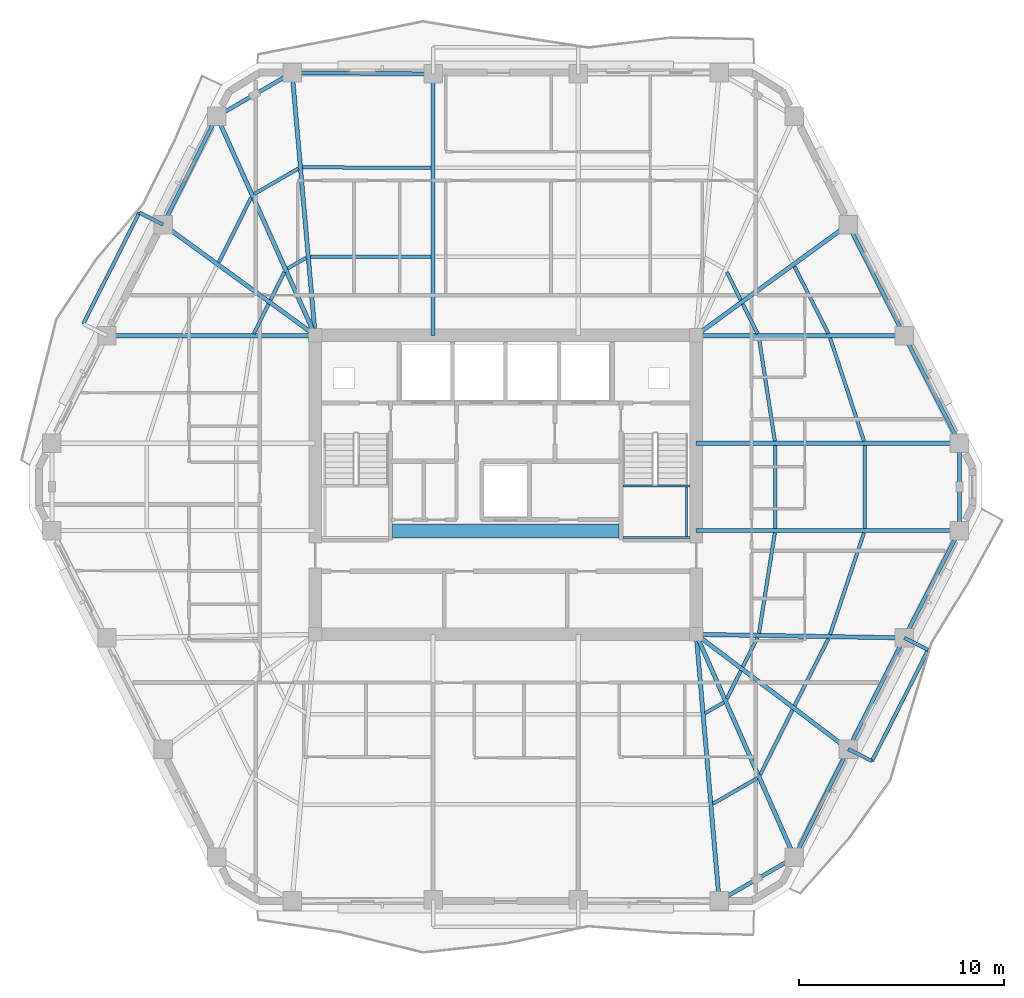
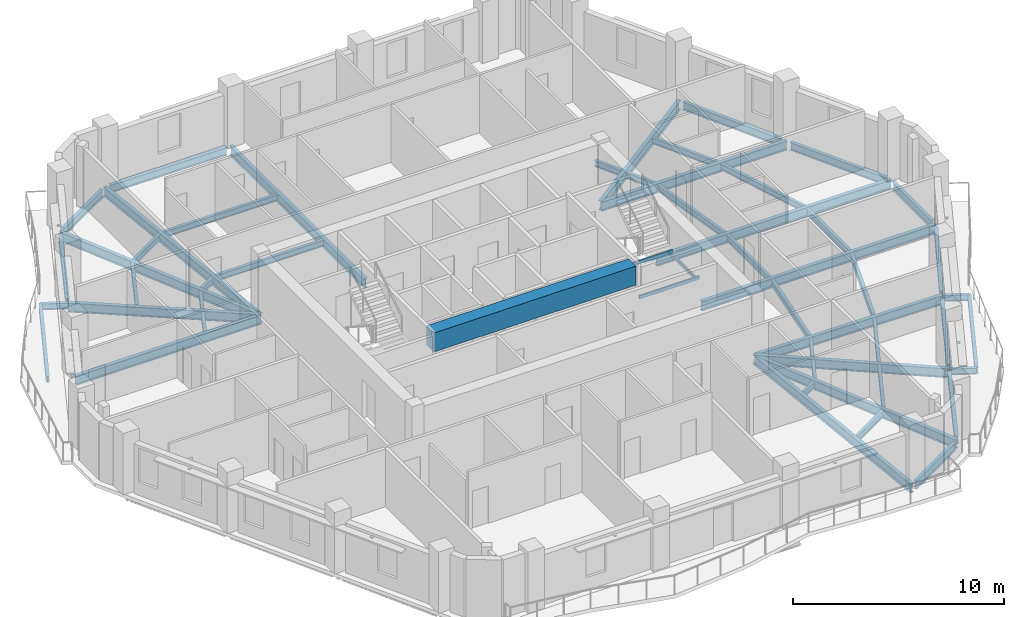
# One storey, part 2 of 12: 54 beams.
"""IFC4 building model written with IfcOpenShell, lengths in metres."""

from ifc_helpers import new_model, si_unit, direction, frame, origin, origin_2d, place, context, subcontext, project, spatial, rectangle, hollow_rectangle, i_section, extrude, material, material_profile, profile_set, type_object, element, save


model = new_model("IFC4")

# Units and contexts
model_context = context("Model", 3, precision=1e-05, world=origin(), true_north=direction((0.0, 1.0)))
body_context = subcontext(model_context, "Body", "Model", "MODEL_VIEW")
ifc_project = project(units=[si_unit("LENGTHUNIT", "METRE"), si_unit("AREAUNIT", "SQUARE_METRE"), si_unit("VOLUMEUNIT", "CUBIC_METRE"), si_unit("PLANEANGLEUNIT", "RADIAN"), si_unit("MASSUNIT", "GRAM", prefix="KILO")], contexts=[model_context])

# Site, building, storey
site_placement = place(None, origin())
site = spatial("IfcSite", under=ifc_project, at=site_placement, CompositionType="ELEMENT")
building_placement = place(site_placement, origin())
building = spatial("IfcBuilding", under=site, at=building_placement, Name="Cinnabar Lancet Tower", CompositionType="ELEMENT")
storey_placement = place(building_placement, frame((0.0, 0.0, 186.10009765625)))
storey = spatial("IfcBuildingStorey", under=building, at=storey_placement, Name="L49", CompositionType="ELEMENT", Elevation=186.10009765625)

# Beams
ifc_material_1 = material(Name="Concrete C70/85", Category="concrete")
ifc_material_profile_1 = material_profile(ifc_material_1, rectangle(XDim=0.699951171875, YDim=1.10009765625, at=origin_2d()), Name="RC-CB 700x1100")
ifc_profile_set_1 = profile_set([ifc_material_profile_1], Name="Concrete C70/85")
beam_type_1 = type_object("IfcBeamType", Name="STR-BM-CB-1100", PredefinedType="BEAM", material=ifc_profile_set_1)
beam_1_placement = place(storey_placement, frame((26.8798828125, 23.64990234375, 2.7998046875), z_axis=(1.0, 0.0, 0.0), x_axis=(0.0, 1.0, 0.0)))
element("IfcBeam", 1, at=beam_1_placement, inside=storey, type_object=beam_type_1, Name="L49 Core Coupling Beam", PredefinedType="BEAM", context=body_context, shape_type="SweptSolid", body=[
    extrude(rectangle(XDim=0.699951171875, YDim=1.10009765625, at=origin_2d()), origin(), (0.0, 0.0, 1.0), 11.0400390625),
])
ifc_material_2 = material(Name="Structural steel S355", Category="steel")
ifc_material_profile_2 = material_profile(ifc_material_2, i_section(OverallWidth=0.17138671875, OverallDepth=0.35498046875, WebThickness=0.00732421875, FlangeThickness=0.011474609375, FilletRadius=0.01025390625, at=origin_2d()), Name="UKB 356x171x51")
ifc_profile_set_2 = profile_set([ifc_material_profile_2], Name="Structural steel S355")
beam_type_2 = type_object("IfcBeamType", Name="STR-BM-JST-356", PredefinedType="JOIST", material=ifc_profile_set_2)
beam_2_placement = place(storey_placement, frame((42.51708984375, 10.3310546875, -0.378173828125), z_axis=(0.865267839663, 0.501309849937, 0.0), x_axis=(-0.501309849937, 0.865267839663, 0.0)))
element("IfcBeam", 2, at=beam_2_placement, inside=storey, type_object=beam_type_2, Name="L49 Secondary Floor Joist 15", PredefinedType="JOIST", context=body_context, shape_type="SweptSolid", body=[
    extrude(i_section(OverallWidth=0.17138671875, OverallDepth=0.35498046875, WebThickness=0.00732421875, FlangeThickness=0.011474609375, FilletRadius=0.01025390625, at=origin_2d()), origin(), (0.0, 0.0, 1.0), 2.497314453125),
])
beam_3_placement = place(storey_placement, frame((42.135986328125, 14.7548828125, -0.378173828125), z_axis=(0.8651881055, 0.501447446998, 0.0), x_axis=(-0.501447446998, 0.8651881055, 0.0)))
element("IfcBeam", 3, at=beam_3_placement, inside=storey, type_object=beam_type_2, Name="L49 Secondary Floor Joist 16", PredefinedType="JOIST", context=body_context, shape_type="SweptSolid", body=[
    extrude(i_section(OverallWidth=0.17138671875, OverallDepth=0.35498046875, WebThickness=0.00732421875, FlangeThickness=0.011474609375, FilletRadius=0.01025390625, at=origin_2d()), origin(), (0.0, 0.0, 1.0), 1.05322265625),
])
beam_4_placement = place(storey_placement, frame((44.8291015625, 11.758056640625, -0.378173828125), z_axis=(0.445027906173, 0.895516701534, 0.0), x_axis=(-0.895516701534, 0.445027906173, 0.0)))
element("IfcBeam", 4, at=beam_4_placement, inside=storey, type_object=beam_type_2, Name="L49 Secondary Floor Joist 17", PredefinedType="JOIST", context=body_context, shape_type="SweptSolid", body=[
    extrude(i_section(OverallWidth=0.17138671875, OverallDepth=0.35498046875, WebThickness=0.00732421875, FlangeThickness=0.011474609375, FilletRadius=0.01025390625, at=origin_2d()), origin(), (0.0, 0.0, 1.0), 3.531982421875),
])
beam_5_placement = place(storey_placement, frame((43.198974609375, 15.45703125, -0.378173828125), z_axis=(0.444589856968, 0.895734256954, 0.0), x_axis=(-0.895734256954, 0.444589856968, 0.0)))
element("IfcBeam", 5, at=beam_5_placement, inside=storey, type_object=beam_type_2, Name="L49 Secondary Floor Joist 18", PredefinedType="JOIST", context=body_context, shape_type="SweptSolid", body=[
    extrude(i_section(OverallWidth=0.17138671875, OverallDepth=0.35498046875, WebThickness=0.00732421875, FlangeThickness=0.011474609375, FilletRadius=0.01025390625, at=origin_2d()), origin(), (0.0, 0.0, 1.0), 1.527099609375),
])
beam_6_placement = place(storey_placement, frame((46.49609375, 15.112060546875, -0.378173828125), z_axis=(0.450564728728, 0.892743762357, 0.0), x_axis=(-0.892743762357, 0.450564728728, 0.0)))
element("IfcBeam", 6, at=beam_6_placement, inside=storey, type_object=beam_type_2, Name="L49 Secondary Floor Joist 19", PredefinedType="JOIST", context=body_context, shape_type="SweptSolid", body=[
    extrude(i_section(OverallWidth=0.17138671875, OverallDepth=0.35498046875, WebThickness=0.00732421875, FlangeThickness=0.011474609375, FilletRadius=0.01025390625, at=origin_2d()), origin(), (0.0, 0.0, 1.0), 3.66845703125),
])
beam_7_placement = place(storey_placement, frame((43.97412109375, 17.014892578125, -0.378173828125), z_axis=(0.450137936259, 0.892959035085, 0.0), x_axis=(-0.892959035085, 0.450137936259, 0.0)))
element("IfcBeam", 7, at=beam_7_placement, inside=storey, type_object=beam_type_2, Name="L49 Secondary Floor Joist 20", PredefinedType="JOIST", context=body_context, shape_type="SweptSolid", body=[
    extrude(i_section(OverallWidth=0.17138671875, OverallDepth=0.35498046875, WebThickness=0.00732421875, FlangeThickness=0.011474609375, FilletRadius=0.01025390625, at=origin_2d()), origin(), (0.0, 0.0, 1.0), 1.6015625),
])
beam_8_placement = place(storey_placement, frame((48.236083984375, 18.594970703125, -0.378173828125), z_axis=(0.315346227037, 0.948976689436, 0.0), x_axis=(-0.948976689436, 0.315346227037, 0.0)))
element("IfcBeam", 8, at=beam_8_placement, inside=storey, type_object=beam_type_2, Name="L49 Secondary Floor Joist 21", PredefinedType="JOIST", context=body_context, shape_type="SweptSolid", body=[
    extrude(i_section(OverallWidth=0.17138671875, OverallDepth=0.35498046875, WebThickness=0.00732421875, FlangeThickness=0.011474609375, FilletRadius=0.01025390625, at=origin_2d()), origin(), (0.0, 0.0, 1.0), 5.235107421875),
])
beam_9_placement = place(storey_placement, frame((44.763916015625, 18.653076171875, -0.378173828125), z_axis=(0.155750702097, 0.987796395416, 0.0), x_axis=(-0.987796395416, 0.155750702097, 0.0)))
element("IfcBeam", 9, at=beam_9_placement, inside=storey, type_object=beam_type_2, Name="L49 Secondary Floor Joist 22", PredefinedType="JOIST", context=body_context, shape_type="SweptSolid", body=[
    extrude(i_section(OverallWidth=0.17138671875, OverallDepth=0.35498046875, WebThickness=0.00732421875, FlangeThickness=0.011474609375, FilletRadius=0.01025390625, at=origin_2d()), origin(), (0.0, 0.0, 1.0), 4.970458984375),
])
for number, where, z_axis, x_axis, name in (
    (10, (49.922119140625, 23.77294921875, -0.378173828125), (0.0, 1.0, 0.0), (-1.0, 0.0, 0.0), "L49 Secondary Floor Joist 23"),
    (11, (45.553955078125, 23.77294921875, -0.378173828125), (0.0, 1.0, 0.0), (-1.0, 0.0, 0.0), "L49 Secondary Floor Joist 24"),
):
    element("IfcBeam", number, at=place(storey_placement, frame(where, z_axis=z_axis, x_axis=x_axis)), inside=storey, type_object=beam_type_2, Name=name, PredefinedType="JOIST", context=body_context, shape_type="SweptSolid", body=[
        extrude(i_section(OverallWidth=0.17138671875, OverallDepth=0.35498046875, WebThickness=0.00732421875, FlangeThickness=0.011474609375, FilletRadius=0.01025390625, at=origin_2d()), origin(), (0.0, 0.0, 1.0), 4.053955078125),
    ])
beam_10_placement = place(storey_placement, frame((49.887939453125, 28.037109375, -0.378173828125), z_axis=(-0.312240109925, 0.95000321776, 0.0), x_axis=(-0.95000321776, -0.312240109925, 0.0)))
element("IfcBeam", 12, at=beam_10_placement, inside=storey, type_object=beam_type_2, Name="L49 Secondary Floor Joist 25", PredefinedType="JOIST", context=body_context, shape_type="SweptSolid", body=[
    extrude(i_section(OverallWidth=0.17138671875, OverallDepth=0.35498046875, WebThickness=0.00732421875, FlangeThickness=0.011474609375, FilletRadius=0.01025390625, at=origin_2d()), origin(), (0.0, 0.0, 1.0), 5.29345703125),
])
beam_11_placement = place(storey_placement, frame((45.5380859375, 28.037109375, -0.378173828125), z_axis=(-0.152154536592, 0.98835671546, 0.0), x_axis=(-0.98835671546, -0.152154536592, 0.0)))
element("IfcBeam", 13, at=beam_11_placement, inside=storey, type_object=beam_type_2, Name="L49 Secondary Floor Joist 26", PredefinedType="JOIST", context=body_context, shape_type="SweptSolid", body=[
    extrude(i_section(OverallWidth=0.17138671875, OverallDepth=0.35498046875, WebThickness=0.00732421875, FlangeThickness=0.011474609375, FilletRadius=0.01025390625, at=origin_2d()), origin(), (0.0, 0.0, 1.0), 5.088134765625),
])
beam_12_placement = place(storey_placement, frame((48.14794921875, 33.27587890625, -0.378173828125), z_axis=(-0.449230875134, 0.893415704376, 0.0), x_axis=(-0.893415704376, -0.449230875134, 0.0)))
element("IfcBeam", 14, at=beam_12_placement, inside=storey, type_object=beam_type_2, Name="L49 Secondary Floor Joist 27", PredefinedType="JOIST", context=body_context, shape_type="SweptSolid", body=[
    extrude(i_section(OverallWidth=0.17138671875, OverallDepth=0.35498046875, WebThickness=0.00732421875, FlangeThickness=0.011474609375, FilletRadius=0.01025390625, at=origin_2d()), origin(), (0.0, 0.0, 1.0), 3.677001953125),
])
beam_13_placement = place(storey_placement, frame((44.695068359375, 33.27587890625, -0.378173828125), z_axis=(-0.446006949597, 0.89502949723, 0.0), x_axis=(-0.89502949723, -0.446006949597, 0.0)))
element("IfcBeam", 15, at=beam_13_placement, inside=storey, type_object=beam_type_2, Name="L49 Secondary Floor Joist 28", PredefinedType="JOIST", context=body_context, shape_type="SweptSolid", body=[
    extrude(i_section(OverallWidth=0.17138671875, OverallDepth=0.35498046875, WebThickness=0.00732421875, FlangeThickness=0.011474609375, FilletRadius=0.01025390625, at=origin_2d()), origin(), (0.0, 0.0, 1.0), 1.619140625),
])
beam_14_placement = place(storey_placement, frame((43.8779296875, 34.9150390625, -0.378173828125), z_axis=(-0.444589856968, 0.895734256954, 0.0), x_axis=(-0.895734256954, -0.444589856968, 0.0)))
element("IfcBeam", 16, at=beam_14_placement, inside=storey, type_object=beam_type_2, Name="L49 Secondary Floor Joist 30", PredefinedType="JOIST", context=body_context, shape_type="SweptSolid", body=[
    extrude(i_section(OverallWidth=0.17138671875, OverallDepth=0.35498046875, WebThickness=0.00732421875, FlangeThickness=0.011474609375, FilletRadius=0.01025390625, at=origin_2d()), origin(), (0.0, 0.0, 1.0), 1.527099609375),
])
beam_15_placement = place(storey_placement, frame((28.751953125, 41.365966796875, -0.378173828125), z_axis=(-0.999986965561, 0.005105752523, 0.0), x_axis=(-0.005105752523, -0.999986965561, 0.0)))
element("IfcBeam", 17, at=beam_15_placement, inside=storey, type_object=beam_type_2, Name="L49 Secondary Floor Joist 37", PredefinedType="JOIST", context=body_context, shape_type="SweptSolid", body=[
    extrude(i_section(OverallWidth=0.17138671875, OverallDepth=0.35498046875, WebThickness=0.00732421875, FlangeThickness=0.011474609375, FilletRadius=0.01025390625, at=origin_2d()), origin(), (0.0, 0.0, 1.0), 6.263916015625),
])
beam_16_placement = place(storey_placement, frame((28.751953125, 37.028076171875, -0.378173828125), z_axis=(-0.999996795933, 0.002531427338, 0.0), x_axis=(-0.002531427338, -0.999996795933, 0.0)))
element("IfcBeam", 18, at=beam_16_placement, inside=storey, type_object=beam_type_2, Name="L49 Secondary Floor Joist 38", PredefinedType="JOIST", context=body_context, shape_type="SweptSolid", body=[
    extrude(i_section(OverallWidth=0.17138671875, OverallDepth=0.35498046875, WebThickness=0.00732421875, FlangeThickness=0.011474609375, FilletRadius=0.01025390625, at=origin_2d()), origin(), (0.0, 0.0, 1.0), 5.883056640625),
])
beam_17_placement = place(storey_placement, frame((22.282958984375, 41.341064453125, -0.378173828125), z_axis=(-0.865267839663, -0.501309849937, 0.0), x_axis=(0.501309849937, -0.865267839663, 0.0)))
element("IfcBeam", 19, at=beam_17_placement, inside=storey, type_object=beam_type_2, Name="L49 Secondary Floor Joist 39", PredefinedType="JOIST", context=body_context, shape_type="SweptSolid", body=[
    extrude(i_section(OverallWidth=0.17138671875, OverallDepth=0.35498046875, WebThickness=0.00732421875, FlangeThickness=0.011474609375, FilletRadius=0.01025390625, at=origin_2d()), origin(), (0.0, 0.0, 1.0), 2.497314453125),
])
beam_18_placement = place(storey_placement, frame((22.6640625, 36.985107421875, -0.378173828125), z_axis=(-0.8651881055, -0.501447446998, 0.0), x_axis=(0.501447446998, -0.8651881055, 0.0)))
element("IfcBeam", 20, at=beam_18_placement, inside=storey, type_object=beam_type_2, Name="L49 Secondary Floor Joist 40", PredefinedType="JOIST", context=body_context, shape_type="SweptSolid", body=[
    extrude(i_section(OverallWidth=0.17138671875, OverallDepth=0.35498046875, WebThickness=0.00732421875, FlangeThickness=0.011474609375, FilletRadius=0.01025390625, at=origin_2d()), origin(), (0.0, 0.0, 1.0), 1.05322265625),
])
beam_19_placement = place(storey_placement, frame((19.970947265625, 39.9150390625, -0.378173828125), z_axis=(-0.444835507887, -0.895612288283, 0.0), x_axis=(0.895612288283, -0.444835507887, 0.0)))
element("IfcBeam", 21, at=beam_19_placement, inside=storey, type_object=beam_type_2, Name="L49 Secondary Floor Joist 41", PredefinedType="JOIST", context=body_context, shape_type="SweptSolid", body=[
    extrude(i_section(OverallWidth=0.17138671875, OverallDepth=0.35498046875, WebThickness=0.00732421875, FlangeThickness=0.011474609375, FilletRadius=0.01025390625, at=origin_2d()), origin(), (0.0, 0.0, 1.0), 3.533935546875),
])
beam_20_placement = place(storey_placement, frame((21.60107421875, 36.282958984375, -0.378173828125), z_axis=(-0.444589856968, -0.895734256954, 0.0), x_axis=(0.895734256954, -0.444589856968, 0.0)))
element("IfcBeam", 22, at=beam_20_placement, inside=storey, type_object=beam_type_2, Name="L49 Secondary Floor Joist 42", PredefinedType="JOIST", context=body_context, shape_type="SweptSolid", body=[
    extrude(i_section(OverallWidth=0.17138671875, OverallDepth=0.35498046875, WebThickness=0.00732421875, FlangeThickness=0.011474609375, FilletRadius=0.01025390625, at=origin_2d()), origin(), (0.0, 0.0, 1.0), 1.527099609375),
])
beam_21_placement = place(storey_placement, frame((20.826904296875, 34.72509765625, -0.378173828125), z_axis=(-0.44588615098, -0.895089682861, 0.0), x_axis=(0.895089682861, -0.44588615098, 0.0)))
element("IfcBeam", 23, at=beam_21_placement, inside=storey, type_object=beam_type_2, Name="L49 Secondary Floor Joist 44", PredefinedType="JOIST", context=body_context, shape_type="SweptSolid", body=[
    extrude(i_section(OverallWidth=0.17138671875, OverallDepth=0.35498046875, WebThickness=0.00732421875, FlangeThickness=0.011474609375, FilletRadius=0.01025390625, at=origin_2d()), origin(), (0.0, 0.0, 1.0), 1.619140625),
])
ifc_material_3 = material(Name="Structural steel S355", Category="steel")
ifc_material_profile_3 = material_profile(ifc_material_3, hollow_rectangle(XDim=0.10009765625, YDim=0.199951171875, WallThickness=0.008056640625, InnerFilletRadius=0.00390625, OuterFilletRadius=0.011962890625, at=origin_2d()), Name="RHS 200x100x8")
ifc_profile_set_3 = profile_set([ifc_material_profile_3], Name="Structural steel S355")
beam_type_3 = type_object("IfcBeamType", Name="STR-BM-LND-203", PredefinedType="BEAM", material=ifc_profile_set_3)
for number, where, z_axis, x_axis, name in (
    (24, (38.1201171875, 23.330078125, 1.474853515625), (1.0, 0.0, 0.0), (0.0, 1.0, 0.0), "L49 ST-2-L49 Landing Support Beam S"),
    (25, (38.1201171875, 25.844970703125, 1.474853515625), (1.0, 0.0, 0.0), (0.0, 1.0, 0.0), "L49 ST-2-L49 Landing Support Beam N"),
):
    element("IfcBeam", number, at=place(storey_placement, frame(where, z_axis=z_axis, x_axis=x_axis)), inside=storey, type_object=beam_type_3, Name=name, PredefinedType="BEAM", context=body_context, shape_type="SweptSolid", body=[
        extrude(hollow_rectangle(XDim=0.10009765625, YDim=0.199951171875, WallThickness=0.008056640625, InnerFilletRadius=0.00390625, OuterFilletRadius=0.011962890625, at=origin_2d()), origin(), (0.0, 0.0, 1.0), 3.27978515625),
    ])
beam_22_placement = place(storey_placement, frame((41.219970703125, 23.3798828125, 1.474853515625), z_axis=(0.0, 1.0, 0.0), x_axis=(-1.0, 0.0, 0.0)))
element("IfcBeam", 26, at=beam_22_placement, inside=storey, type_object=beam_type_3, Name="L49 ST-2-L49 Landing Side Trimmer Beam", PredefinedType="BEAM", context=body_context, shape_type="SweptSolid", body=[
    extrude(hollow_rectangle(XDim=0.10009765625, YDim=0.199951171875, WallThickness=0.008056640625, InnerFilletRadius=0.00390625, OuterFilletRadius=0.011962890625, at=origin_2d()), origin(), (0.0, 0.0, 1.0), 2.4150390625),
])
ifc_material_4 = material(Name="Structural steel S355", Category="steel")
ifc_material_profile_4 = material_profile(ifc_material_4, i_section(OverallWidth=0.1904296875, OverallDepth=0.45703125, WebThickness=0.009033203125, FlangeThickness=0.014404296875, FilletRadius=0.01025390625, at=origin_2d()), Name="UKB 457x191x74")
ifc_profile_set_4 = profile_set([ifc_material_profile_4], Name="Structural steel S355")
beam_type_4 = type_object("IfcBeamType", Name="STR-BM-SPN-457", PredefinedType="SPANDREL", material=ifc_profile_set_4)
beam_23_placement = place(storey_placement, frame((43.037109375, 5.714111328125, -0.427978515625), z_axis=(0.865195717586, 0.501434313016, 0.0), x_axis=(-0.501434313016, 0.865195717586, 0.0)))
element("IfcBeam", 27, at=beam_23_placement, inside=storey, type_object=beam_type_4, Name="L49 Perimeter Spandrel 4", PredefinedType="SPANDREL", context=body_context, shape_type="SweptSolid", body=[
    extrude(i_section(OverallWidth=0.1904296875, OverallDepth=0.45703125, WebThickness=0.009033203125, FlangeThickness=0.014404296875, FilletRadius=0.01025390625, at=origin_2d()), origin(), (0.0, 0.0, 1.0), 3.7470703125),
])
beam_24_placement = place(storey_placement, frame((46.60595703125, 7.94189453125, -0.427978515625), z_axis=(0.444914968367, 0.895572817208, 0.0), x_axis=(-0.895572817208, 0.444914968367, 0.0)))
element("IfcBeam", 28, at=beam_24_placement, inside=storey, type_object=beam_type_4, Name="L49 Perimeter Spandrel 5", PredefinedType="SPANDREL", context=body_context, shape_type="SweptSolid", body=[
    extrude(i_section(OverallWidth=0.1904296875, OverallDepth=0.45703125, WebThickness=0.009033203125, FlangeThickness=0.014404296875, FilletRadius=0.01025390625, at=origin_2d()), origin(), (0.0, 0.0, 1.0), 5.39892578125),
])
beam_25_placement = place(storey_placement, frame((49.23193359375, 13.22412109375, -0.427978515625), z_axis=(0.450395996562, 0.892828900899, 0.0), x_axis=(-0.892828900899, 0.450395996562, 0.0)))
element("IfcBeam", 29, at=beam_25_placement, inside=storey, type_object=beam_type_4, Name="L49 Perimeter Spandrel 6", PredefinedType="SPANDREL", context=body_context, shape_type="SweptSolid", body=[
    extrude(i_section(OverallWidth=0.1904296875, OverallDepth=0.45703125, WebThickness=0.009033203125, FlangeThickness=0.014404296875, FilletRadius=0.01025390625, at=origin_2d()), origin(), (0.0, 0.0, 1.0), 5.579833984375),
])
beam_26_placement = place(storey_placement, frame((51.971923828125, 18.65087890625, -0.427978515625), z_axis=(0.456628362232, 0.889657540184, 0.0), x_axis=(-0.889657540184, 0.456628362232, 0.0)))
element("IfcBeam", 30, at=beam_26_placement, inside=storey, type_object=beam_type_4, Name="L49 Perimeter Spandrel 7", PredefinedType="SPANDREL", context=body_context, shape_type="SweptSolid", body=[
    extrude(i_section(OverallWidth=0.1904296875, OverallDepth=0.45703125, WebThickness=0.009033203125, FlangeThickness=0.014404296875, FilletRadius=0.01025390625, at=origin_2d()), origin(), (0.0, 0.0, 1.0), 5.389892578125),
])
beam_27_placement = place(storey_placement, frame((54.547119140625, 23.91796875, -0.427978515625), z_axis=(0.0, 1.0, 0.0), x_axis=(-1.0, 0.0, 0.0)))
element("IfcBeam", 31, at=beam_27_placement, inside=storey, type_object=beam_type_4, Name="L49 Perimeter Spandrel 8", PredefinedType="SPANDREL", context=body_context, shape_type="SweptSolid", body=[
    extrude(i_section(OverallWidth=0.1904296875, OverallDepth=0.45703125, WebThickness=0.009033203125, FlangeThickness=0.014404296875, FilletRadius=0.01025390625, at=origin_2d()), origin(), (0.0, 0.0, 1.0), 3.763916015625),
])
beam_28_placement = place(storey_placement, frame((54.43310546875, 28.154052734375, -0.427978515625), z_axis=(-0.456646764028, 0.889648094981, 0.0), x_axis=(-0.889648094981, -0.456646764028, 0.0)))
element("IfcBeam", 32, at=beam_28_placement, inside=storey, type_object=beam_type_4, Name="L49 Perimeter Spandrel 9", PredefinedType="SPANDREL", context=body_context, shape_type="SweptSolid", body=[
    extrude(i_section(OverallWidth=0.1904296875, OverallDepth=0.45703125, WebThickness=0.009033203125, FlangeThickness=0.014404296875, FilletRadius=0.01025390625, at=origin_2d()), origin(), (0.0, 0.0, 1.0), 5.3896484375),
])
beam_29_placement = place(storey_placement, frame((51.7451171875, 33.39404296875, -0.427978515625), z_axis=(-0.450395996562, 0.892828900899, 0.0), x_axis=(-0.892828900899, -0.450395996562, 0.0)))
element("IfcBeam", 33, at=beam_29_placement, inside=storey, type_object=beam_type_4, Name="L49 Perimeter Spandrel 10", PredefinedType="SPANDREL", context=body_context, shape_type="SweptSolid", body=[
    extrude(i_section(OverallWidth=0.1904296875, OverallDepth=0.45703125, WebThickness=0.009033203125, FlangeThickness=0.014404296875, FilletRadius=0.01025390625, at=origin_2d()), origin(), (0.0, 0.0, 1.0), 5.579833984375),
])
beam_30_placement = place(storey_placement, frame((28.60693359375, 45.9599609375, -0.427978515625), z_axis=(-0.999970401924, 0.007693846685, 0.0), x_axis=(-0.007693846685, -0.999970401924, 0.0)))
element("IfcBeam", 34, at=beam_30_placement, inside=storey, type_object=beam_type_4, Name="L49 Perimeter Spandrel 15", PredefinedType="SPANDREL", context=body_context, shape_type="SweptSolid", body=[
    extrude(i_section(OverallWidth=0.1904296875, OverallDepth=0.45703125, WebThickness=0.009033203125, FlangeThickness=0.014404296875, FilletRadius=0.01025390625, at=origin_2d()), origin(), (0.0, 0.0, 1.0), 6.378173828125),
])
beam_31_placement = place(storey_placement, frame((21.762939453125, 45.885986328125, -0.427978515625), z_axis=(-0.865195717586, -0.501434313016, 0.0), x_axis=(0.501434313016, -0.865195717586, 0.0)))
element("IfcBeam", 35, at=beam_31_placement, inside=storey, type_object=beam_type_4, Name="L49 Perimeter Spandrel 16", PredefinedType="SPANDREL", context=body_context, shape_type="SweptSolid", body=[
    extrude(i_section(OverallWidth=0.1904296875, OverallDepth=0.45703125, WebThickness=0.009033203125, FlangeThickness=0.014404296875, FilletRadius=0.01025390625, at=origin_2d()), origin(), (0.0, 0.0, 1.0), 3.7470703125),
])
beam_32_placement = place(storey_placement, frame((18.194091796875, 43.657958984375, -0.427978515625), z_axis=(-0.444932986899, -0.895563865489, 0.0), x_axis=(0.895563865489, -0.444932986899, 0.0)))
element("IfcBeam", 36, at=beam_32_placement, inside=storey, type_object=beam_type_4, Name="L49 Perimeter Spandrel 17", PredefinedType="SPANDREL", context=body_context, shape_type="SweptSolid", body=[
    extrude(i_section(OverallWidth=0.1904296875, OverallDepth=0.45703125, WebThickness=0.009033203125, FlangeThickness=0.014404296875, FilletRadius=0.01025390625, at=origin_2d()), origin(), (0.0, 0.0, 1.0), 5.398681640625),
])
ifc_material_5 = material(Name="Structural steel S355", Category="steel")
ifc_material_profile_5 = material_profile(ifc_material_5, i_section(OverallWidth=0.209228515625, OverallDepth=0.533203125, WebThickness=0.010009765625, FlangeThickness=0.015625, FilletRadius=0.0126953125, at=origin_2d()), Name="UKB 533x210x92")
ifc_profile_set_5 = profile_set([ifc_material_profile_5], Name="Structural steel S355")
beam_type_5 = type_object("IfcBeamType", Name="STR-BM-UKB533-92", PredefinedType="BEAM", material=ifc_profile_set_5)
beam_33_placement = place(storey_placement, frame((49.118896484375, 13.0009765625, -0.467041015625), z_axis=(-0.798193439732, 0.602401222417, 0.0), x_axis=(-0.602401222417, -0.798193439732, 0.0)))
element("IfcBeam", 37, at=beam_33_placement, inside=storey, type_object=beam_type_5, Name="L49 Corner Collector Girder 2", PredefinedType="BEAM", context=body_context, shape_type="SweptSolid", body=[
    extrude(i_section(OverallWidth=0.209228515625, OverallDepth=0.533203125, WebThickness=0.010009765625, FlangeThickness=0.015625, FilletRadius=0.0126953125, at=origin_2d()), origin(), (0.0, 0.0, 1.0), 9.294677734375),
])
beam_34_placement = place(storey_placement, frame((49.118896484375, 38.59912109375, -0.467041015625), z_axis=(-0.808550797984, -0.588426382039, 0.0), x_axis=(0.588426382039, -0.808550797984, 0.0)))
element("IfcBeam", 38, at=beam_34_placement, inside=storey, type_object=beam_type_5, Name="L49 Corner Collector Girder 3", PredefinedType="BEAM", context=body_context, shape_type="SweptSolid", body=[
    extrude(i_section(OverallWidth=0.209228515625, OverallDepth=0.533203125, WebThickness=0.010009765625, FlangeThickness=0.015625, FilletRadius=0.0126953125, at=origin_2d()), origin(), (0.0, 0.0, 1.0), 9.175537109375),
])
beam_35_placement = place(storey_placement, frame((15.680908203125, 38.59912109375, -0.467041015625), z_axis=(0.80856001044, -0.588413723087, 0.0), x_axis=(0.588413723087, 0.80856001044, 0.0)))
element("IfcBeam", 39, at=beam_35_placement, inside=storey, type_object=beam_type_5, Name="L49 Corner Collector Girder 4", PredefinedType="BEAM", context=body_context, shape_type="SweptSolid", body=[
    extrude(i_section(OverallWidth=0.209228515625, OverallDepth=0.533203125, WebThickness=0.010009765625, FlangeThickness=0.015625, FilletRadius=0.0126953125, at=origin_2d()), origin(), (0.0, 0.0, 1.0), 9.17578125),
])
beam_36_placement = place(storey_placement, frame((42.821044921875, 5.589111328125, -0.467041015625), z_axis=(-0.085847068729, 0.996308326167, 0.0), x_axis=(-0.996308326167, -0.085847068729, 0.0)))
element("IfcBeam", 40, at=beam_36_placement, inside=storey, type_object=beam_type_5, Name="L49 Primary Floor Girder 4", PredefinedType="BEAM", context=body_context, shape_type="SweptSolid", body=[
    extrude(i_section(OverallWidth=0.209228515625, OverallDepth=0.533203125, WebThickness=0.010009765625, FlangeThickness=0.015625, FilletRadius=0.0126953125, at=origin_2d()), origin(), (0.0, 0.0, 1.0), 13.05908203125),
])
beam_37_placement = place(storey_placement, frame((46.4951171875, 7.718017578125, -0.467041015625), z_axis=(-0.403235299754, 0.915096329919, 0.0), x_axis=(-0.915096329919, -0.403235299754, 0.0)))
element("IfcBeam", 41, at=beam_37_placement, inside=storey, type_object=beam_type_5, Name="L49 Primary Floor Girder 5", PredefinedType="BEAM", context=body_context, shape_type="SweptSolid", body=[
    extrude(i_section(OverallWidth=0.209228515625, OverallDepth=0.533203125, WebThickness=0.010009765625, FlangeThickness=0.015625, FilletRadius=0.0126953125, at=origin_2d()), origin(), (0.0, 0.0, 1.0), 11.891845703125),
])
beam_38_placement = place(storey_placement, frame((51.85791015625, 18.428955078125, -0.467041015625), z_axis=(-0.999858100525, 0.016845735777, 0.0), x_axis=(-0.016845735777, -0.999858100525, 0.0)))
element("IfcBeam", 42, at=beam_38_placement, inside=storey, type_object=beam_type_5, Name="L49 Primary Floor Girder 7", PredefinedType="BEAM", context=body_context, shape_type="SweptSolid", body=[
    extrude(i_section(OverallWidth=0.209228515625, OverallDepth=0.533203125, WebThickness=0.010009765625, FlangeThickness=0.015625, FilletRadius=0.0126953125, at=origin_2d()), origin(), (0.0, 0.0, 1.0), 10.159423828125),
])
for number, where, z_axis, x_axis, name in (
    (43, (54.547119140625, 23.66796875, -0.467041015625), (-1.0, 0.0, 0.0), (0.0, -1.0, 0.0), "L49 Primary Floor Girder 8"),
    (44, (54.547119140625, 27.931884765625, -0.467041015625), (-1.0, 0.0, 0.0), (0.0, -1.0, 0.0), "L49 Primary Floor Girder 9"),
):
    element("IfcBeam", number, at=place(storey_placement, frame(where, z_axis=z_axis, x_axis=x_axis)), inside=storey, type_object=beam_type_5, Name=name, PredefinedType="BEAM", context=body_context, shape_type="SweptSolid", body=[
        extrude(i_section(OverallWidth=0.209228515625, OverallDepth=0.533203125, WebThickness=0.010009765625, FlangeThickness=0.015625, FilletRadius=0.0126953125, at=origin_2d()), origin(), (0.0, 0.0, 1.0), 12.84716796875),
    ])
beam_39_placement = place(storey_placement, frame((51.85791015625, 33.1708984375, -0.467041015625), z_axis=(-1.0, 0.0, 0.0), x_axis=(0.0, -1.0, 0.0)))
element("IfcBeam", 45, at=beam_39_placement, inside=storey, type_object=beam_type_5, Name="L49 Primary Floor Girder 10", PredefinedType="BEAM", context=body_context, shape_type="SweptSolid", body=[
    extrude(i_section(OverallWidth=0.209228515625, OverallDepth=0.533203125, WebThickness=0.010009765625, FlangeThickness=0.015625, FilletRadius=0.0126953125, at=origin_2d()), origin(), (0.0, 0.0, 1.0), 10.157958984375),
])
beam_40_placement = place(storey_placement, frame((28.85693359375, 45.9580078125, -0.467041015625), z_axis=(0.0, -1.0, 0.0), x_axis=(1.0, 0.0, 0.0)))
element("IfcBeam", 46, at=beam_40_placement, inside=storey, type_object=beam_type_5, Name="L49 Primary Floor Girder 15", PredefinedType="BEAM", context=body_context, shape_type="SweptSolid", body=[
    extrude(i_section(OverallWidth=0.209228515625, OverallDepth=0.533203125, WebThickness=0.010009765625, FlangeThickness=0.015625, FilletRadius=0.0126953125, at=origin_2d()), origin(), (0.0, 0.0, 1.0), 12.758056640625),
])
beam_41_placement = place(storey_placement, frame((21.97900390625, 46.010986328125, -0.467041015625), z_axis=(0.087176841412, -0.996192851973, 0.0), x_axis=(0.996192851973, 0.087176841412, 0.0)))
element("IfcBeam", 47, at=beam_41_placement, inside=storey, type_object=beam_type_5, Name="L49 Primary Floor Girder 16", PredefinedType="BEAM", context=body_context, shape_type="SweptSolid", body=[
    extrude(i_section(OverallWidth=0.209228515625, OverallDepth=0.533203125, WebThickness=0.010009765625, FlangeThickness=0.015625, FilletRadius=0.0126953125, at=origin_2d()), origin(), (0.0, 0.0, 1.0), 12.860107421875),
])
beam_42_placement = place(storey_placement, frame((18.304931640625, 43.882080078125, -0.467041015625), z_axis=(0.409527011626, -0.912297992297, 0.0), x_axis=(0.912297992297, 0.409527011626, 0.0)))
element("IfcBeam", 48, at=beam_42_placement, inside=storey, type_object=beam_type_5, Name="L49 Primary Floor Girder 17", PredefinedType="BEAM", context=body_context, shape_type="SweptSolid", body=[
    extrude(i_section(OverallWidth=0.209228515625, OverallDepth=0.533203125, WebThickness=0.010009765625, FlangeThickness=0.015625, FilletRadius=0.0126953125, at=origin_2d()), origin(), (0.0, 0.0, 1.0), 11.708984375),
])
beam_43_placement = place(storey_placement, frame((12.94189453125, 33.1708984375, -0.467041015625), z_axis=(1.0, 0.0, 0.0), x_axis=(0.0, 1.0, 0.0)))
element("IfcBeam", 49, at=beam_43_placement, inside=storey, type_object=beam_type_5, Name="L49 Primary Floor Girder 19", PredefinedType="BEAM", context=body_context, shape_type="SweptSolid", body=[
    extrude(i_section(OverallWidth=0.209228515625, OverallDepth=0.533203125, WebThickness=0.010009765625, FlangeThickness=0.015625, FilletRadius=0.0126953125, at=origin_2d()), origin(), (0.0, 0.0, 1.0), 10.158203125),
])
ifc_material_6 = material(Name="Structural steel S355", Category="steel")
ifc_material_profile_6 = material_profile(ifc_material_6, i_section(OverallWidth=0.17138671875, OverallDepth=0.35498046875, WebThickness=0.00732421875, FlangeThickness=0.011474609375, FilletRadius=0.01025390625, at=origin_2d()), Name="UKB 356x171x51")
ifc_profile_set_6 = profile_set([ifc_material_profile_6], Name="Structural steel S355")
beam_type_6 = type_object("IfcBeamType", Name="STR-BM-WAV-OUT", PredefinedType="BEAM", material=ifc_profile_set_6)
for number, where, z_axis, x_axis, name in (
    (50, (49.118896484375, 13.0009765625, -0.398193359375), (0.892314203325, -0.451414845285, 0.0), (0.451414845285, 0.892314203325, 0.0), "L49 Face 2 Balcony Outlooker A"),
    (51, (51.85791015625, 18.428955078125, -0.398193359375), (0.892314203325, -0.451414845285, 0.0), (0.451414845285, 0.892314203325, 0.0), "L49 Face 2 Balcony Outlooker B"),
    (52, (15.680908203125, 38.59912109375, -0.398193359375), (-0.89227592947, 0.451490493464, 0.0), (-0.451490493464, -0.89227592947, 0.0), "L49 Face 5 Balcony Outlooker A"),
):
    element("IfcBeam", number, at=place(storey_placement, frame(where, z_axis=z_axis, x_axis=x_axis)), inside=storey, type_object=beam_type_6, Name=name, PredefinedType="BEAM", context=body_context, shape_type="SweptSolid", body=[
        extrude(i_section(OverallWidth=0.17138671875, OverallDepth=0.35498046875, WebThickness=0.00732421875, FlangeThickness=0.011474609375, FilletRadius=0.01025390625, at=origin_2d()), origin(), (0.0, 0.0, 1.0), 1.300048828125),
    ])
ifc_material_7 = material(Name="Structural steel S355", Category="steel")
ifc_material_profile_7 = material_profile(ifc_material_7, i_section(OverallWidth=0.17138671875, OverallDepth=0.35498046875, WebThickness=0.00732421875, FlangeThickness=0.011474609375, FilletRadius=0.01025390625, at=origin_2d()), Name="UKB 356x171x51")
ifc_profile_set_7 = profile_set([ifc_material_profile_7], Name="Structural steel S355")
beam_type_7 = type_object("IfcBeamType", Name="STR-BM-WAV-TRIM", PredefinedType="SPANDREL", material=ifc_profile_set_7)
for number, where, z_axis, x_axis, name in (
    (53, (50.279052734375, 12.4140625, -0.398193359375), (0.450503306898, 0.892774759093, 0.0), (-0.892774759093, 0.450503306898, 0.0), "L49 Face 2 Balcony Edge Trimmer"),
    (54, (14.52099609375, 39.18603515625, -0.398193359375), (-0.450503306898, -0.892774759093, 0.0), (0.892774759093, -0.450503306898, 0.0), "L49 Face 5 Balcony Edge Trimmer"),
):
    element("IfcBeam", number, at=place(storey_placement, frame(where, z_axis=z_axis, x_axis=x_axis)), inside=storey, type_object=beam_type_7, Name=name, PredefinedType="SPANDREL", context=body_context, shape_type="SweptSolid", body=[
        extrude(i_section(OverallWidth=0.17138671875, OverallDepth=0.35498046875, WebThickness=0.00732421875, FlangeThickness=0.011474609375, FilletRadius=0.01025390625, at=origin_2d()), origin(), (0.0, 0.0, 1.0), 6.079833984375),
    ])

save(model, "model.ifc")
